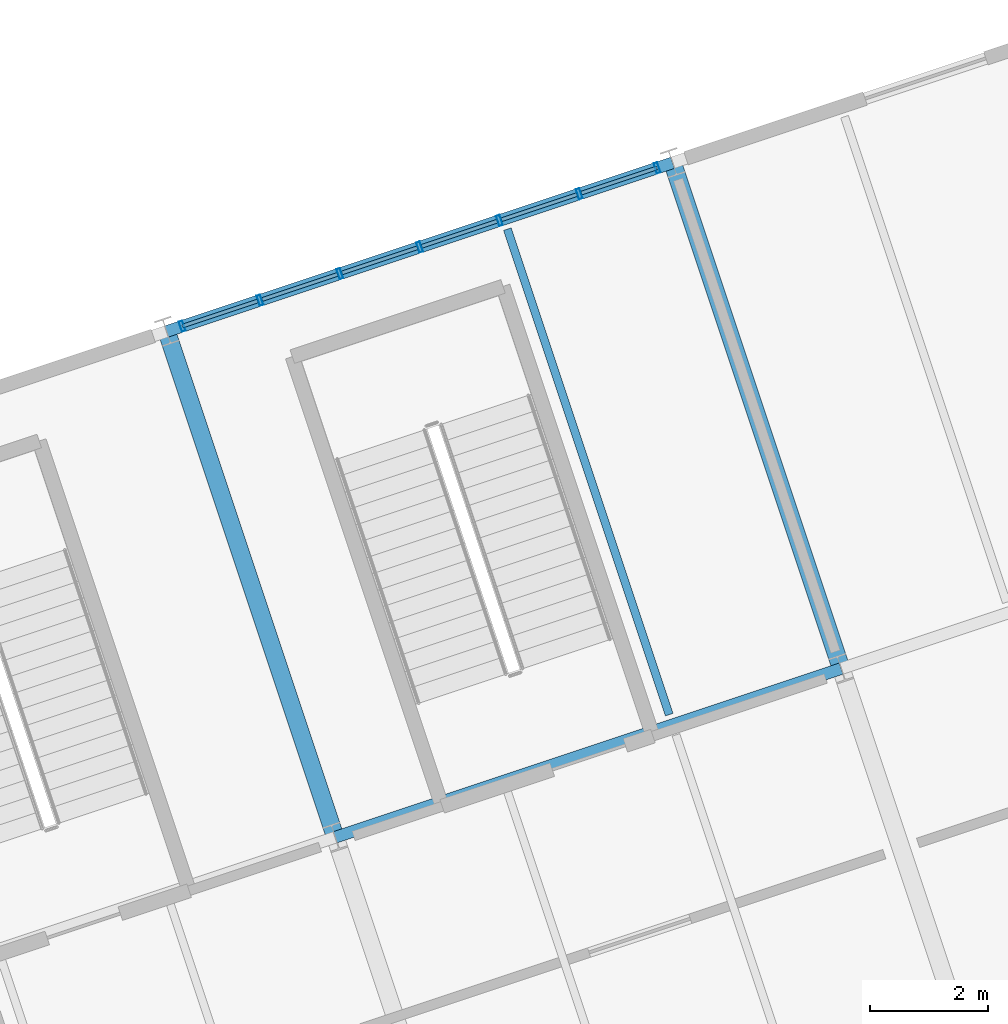
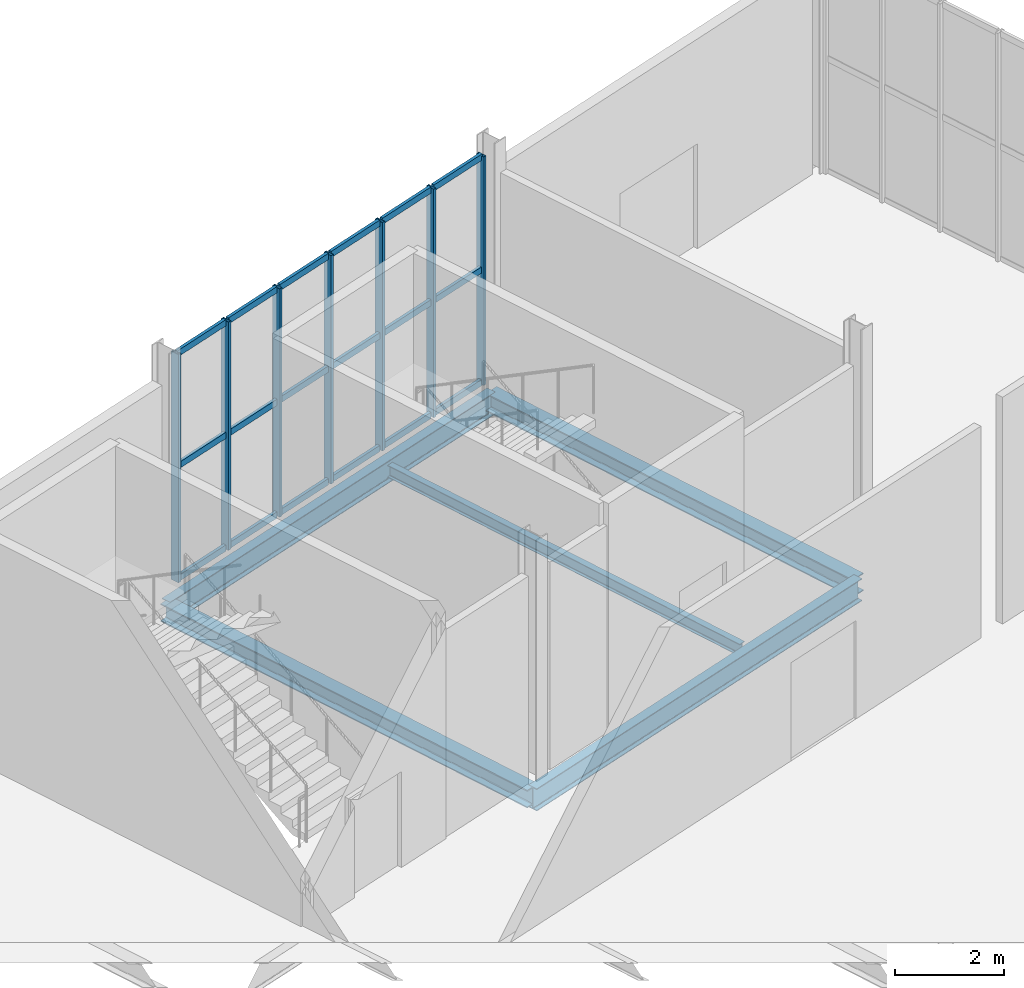
# One storey, part 81 of 158: 25 members, 5 beams, 1 element without a shape of its own.
"""IFC4 building model written with IfcOpenShell, lengths in metres."""

from ifc_helpers import new_model, si_unit, derived_unit, direction, frame, origin, origin_2d, place, context, subcontext, project, spatial, hollow_rectangle, i_section, extrude, material, material_profile, profile_set, type_object, element, aggregate, save


model = new_model("IFC4")

# Units and contexts
model_context = context("Model", 3, precision=1e-05, world=origin(), true_north=direction((0.0, 1.0)))
body_context = subcontext(model_context, "Body", "Model", "MODEL_VIEW")
ifc_project = project(units=[si_unit("LENGTHUNIT", "METRE"), si_unit("AREAUNIT", "SQUARE_METRE"), si_unit("VOLUMEUNIT", "CUBIC_METRE"), si_unit("PLANEANGLEUNIT", "RADIAN"), si_unit("MASSUNIT", "GRAM", prefix="KILO"), si_unit("THERMODYNAMICTEMPERATUREUNIT", "KELVIN"), si_unit("TIMEUNIT", "SECOND"), derived_unit("THERMALTRANSMITTANCEUNIT", [(si_unit("MASSUNIT", "GRAM", prefix="KILO"), 1), (si_unit("THERMODYNAMICTEMPERATUREUNIT", "KELVIN"), -1), (si_unit("TIMEUNIT", "SECOND"), -3)])], contexts=[model_context])

# Site, building, storey
site_placement = place(None, origin())
site = spatial("IfcSite", under=ifc_project, at=site_placement, CompositionType="ELEMENT")
building_placement = place(site_placement, origin())
building = spatial("IfcBuilding", under=site, at=building_placement, Name="Cambertide Market Hall", CompositionType="ELEMENT")
storey_placement = place(building_placement, origin())
storey = spatial("IfcBuildingStorey", under=building, at=storey_placement, Name="L01", CompositionType="ELEMENT", Elevation=0.0)

# Curtain wall, members
ifc_material_1 = material(Name="Marine Anodized Aluminium 6063-T6 AA25", Category="aluminium")
curtain_wall_type = type_object("IfcCurtainWallType", Name="Food Court Ground Glazed Facade", PredefinedType="USERDEFINED", material=ifc_material_1)
curtain_wall_placement = place(storey_placement, origin())
curtain_wall = element("IfcCurtainWall", 1, at=curtain_wall_placement, inside=storey, type_object=curtain_wall_type, Name="Level 1 Curtain Wall CW-V3N-L01-6", ObjectType="UNITIZED CURTAIN WALL", PredefinedType="USERDEFINED")
ifc_material_2 = material(Name="Champagne Marine Anodized Aluminium 6063-T6 AA25", Category="aluminium")
ifc_material_profile_1 = material_profile(ifc_material_2, hollow_rectangle(XDim=0.06494140625, YDim=0.179931640625, WallThickness=0.00390625, at=origin_2d()), Name="ALU MULLION 65x180")
ifc_profile_set_1 = profile_set([ifc_material_profile_1], Name="Champagne Marine Anodized Aluminium 6063-T6 AA25")
member_type_1 = type_object("IfcMemberType", Name="Curtain Wall Mullion ALU MULLION 65x180", PredefinedType="MULLION", material=ifc_profile_set_1)
member_1_placement = place(storey_placement, frame((140.41357421875, 51.931640625, 0.0), z_axis=(0.0, 0.0, 1.0), x_axis=(0.948683274577, 0.316227836438, 0.0)))
member_1 = element("IfcMember", 2, at=member_1_placement, type_object=member_type_1, Name="CW-V3N-L01-6 Mullion 1", PredefinedType="MULLION", context=body_context, shape_type="SweptSolid", body=[
    extrude(hollow_rectangle(XDim=0.06494140625, YDim=0.179931640625, WallThickness=0.00390625, at=origin_2d()), origin(), (0.0, 0.0, 1.0), 5.1201171875),
])
member_2_placement = place(storey_placement, frame((141.727294921875, 52.36962890625, 0.0), z_axis=(0.0, 0.0, 1.0), x_axis=(0.948683274577, 0.316227836438, 0.0)))
member_2 = element("IfcMember", 3, at=member_2_placement, type_object=member_type_1, Name="CW-V3N-L01-6 Mullion 2", PredefinedType="MULLION", context=body_context, shape_type="SweptSolid", body=[
    extrude(hollow_rectangle(XDim=0.06494140625, YDim=0.179931640625, WallThickness=0.00390625, at=origin_2d()), origin(), (0.0, 0.0, 1.0), 5.1201171875),
])
member_3_placement = place(storey_placement, frame((143.074462890625, 52.818603515625, 0.0), z_axis=(0.0, 0.0, 1.0), x_axis=(0.948683274577, 0.316227836438, 0.0)))
member_3 = element("IfcMember", 4, at=member_3_placement, type_object=member_type_1, Name="CW-V3N-L01-6 Mullion 3", PredefinedType="MULLION", context=body_context, shape_type="SweptSolid", body=[
    extrude(hollow_rectangle(XDim=0.06494140625, YDim=0.179931640625, WallThickness=0.00390625, at=origin_2d()), origin(), (0.0, 0.0, 1.0), 5.1201171875),
])
member_4_placement = place(storey_placement, frame((144.421630859375, 53.267822265625, 0.0), z_axis=(0.0, 0.0, 1.0), x_axis=(0.948683274577, 0.316227836438, 0.0)))
member_4 = element("IfcMember", 5, at=member_4_placement, type_object=member_type_1, Name="CW-V3N-L01-6 Mullion 4", PredefinedType="MULLION", context=body_context, shape_type="SweptSolid", body=[
    extrude(hollow_rectangle(XDim=0.06494140625, YDim=0.179931640625, WallThickness=0.00390625, at=origin_2d()), origin(), (0.0, 0.0, 1.0), 5.1201171875),
])
member_5_placement = place(storey_placement, frame((145.768798828125, 53.716796875, 0.0), z_axis=(0.0, 0.0, 1.0), x_axis=(0.948683274577, 0.316227836438, 0.0)))
member_5 = element("IfcMember", 6, at=member_5_placement, type_object=member_type_1, Name="CW-V3N-L01-6 Mullion 5", PredefinedType="MULLION", context=body_context, shape_type="SweptSolid", body=[
    extrude(hollow_rectangle(XDim=0.06494140625, YDim=0.179931640625, WallThickness=0.00390625, at=origin_2d()), origin(), (0.0, 0.0, 1.0), 5.1201171875),
])
member_6_placement = place(storey_placement, frame((147.115966796875, 54.165771484375, 0.0), z_axis=(0.0, 0.0, 1.0), x_axis=(0.948683274577, 0.316227836438, 0.0)))
member_6 = element("IfcMember", 7, at=member_6_placement, type_object=member_type_1, Name="CW-V3N-L01-6 Mullion 6", PredefinedType="MULLION", context=body_context, shape_type="SweptSolid", body=[
    extrude(hollow_rectangle(XDim=0.06494140625, YDim=0.179931640625, WallThickness=0.00390625, at=origin_2d()), origin(), (0.0, 0.0, 1.0), 5.1201171875),
])
member_7_placement = place(storey_placement, frame((148.429931640625, 54.603759765625, 0.0), z_axis=(0.0, 0.0, 1.0), x_axis=(0.948683274577, 0.316227836438, 0.0)))
member_7 = element("IfcMember", 8, at=member_7_placement, type_object=member_type_1, Name="CW-V3N-L01-6 Mullion 7", PredefinedType="MULLION", context=body_context, shape_type="SweptSolid", body=[
    extrude(hollow_rectangle(XDim=0.06494140625, YDim=0.179931640625, WallThickness=0.00390625, at=origin_2d()), origin(), (0.0, 0.0, 1.0), 5.1201171875),
])
ifc_material_3 = material(Name="Champagne Marine Anodized Aluminium 6063-T6 AA25", Category="aluminium")
ifc_material_profile_2 = material_profile(ifc_material_3, hollow_rectangle(XDim=0.06494140625, YDim=0.139892578125, WallThickness=0.00341796875, at=origin_2d()), Name="ALU TRANSOM 65x140")
ifc_profile_set_2 = profile_set([ifc_material_profile_2], Name="Champagne Marine Anodized Aluminium 6063-T6 AA25")
member_type_2 = type_object("IfcMemberType", Name="Curtain Wall Transom ALU TRANSOM 65x140", PredefinedType="USERDEFINED", material=ifc_profile_set_2)
member_8_placement = place(storey_placement, frame((140.418212890625, 51.933349609375, 0.034912109375), z_axis=(0.948719731918, 0.316118443418, 0.0), x_axis=(-0.316118443418, 0.948719731918, 0.0)))
member_8 = element("IfcMember", 9, at=member_8_placement, type_object=member_type_2, Name="CW-V3N-L01-6 Transom 1-1", ObjectType="TRANSOM", PredefinedType="USERDEFINED", context=body_context, shape_type="SweptSolid", body=[
    extrude(hollow_rectangle(XDim=0.06494140625, YDim=0.139892578125, WallThickness=0.00341796875, at=origin_2d()), origin(), (0.0, 0.0, 1.0), 1.33984375),
])
member_9_placement = place(storey_placement, frame((141.765380859375, 52.38232421875, 0.034912109375), z_axis=(0.948665077442, 0.316282422593, 0.0), x_axis=(-0.316282422593, 0.948665077442, 0.0)))
member_9 = element("IfcMember", 10, at=member_9_placement, type_object=member_type_2, Name="CW-V3N-L01-6 Transom 1-2", ObjectType="TRANSOM", PredefinedType="USERDEFINED", context=body_context, shape_type="SweptSolid", body=[
    extrude(hollow_rectangle(XDim=0.06494140625, YDim=0.139892578125, WallThickness=0.00341796875, at=origin_2d()), origin(), (0.0, 0.0, 1.0), 1.340087890625),
])
member_10_placement = place(storey_placement, frame((143.112548828125, 52.831298828125, 0.034912109375), z_axis=(0.948665077442, 0.316282422593, 0.0), x_axis=(-0.316282422593, 0.948665077442, 0.0)))
member_10 = element("IfcMember", 11, at=member_10_placement, type_object=member_type_2, Name="CW-V3N-L01-6 Transom 1-3", ObjectType="TRANSOM", PredefinedType="USERDEFINED", context=body_context, shape_type="SweptSolid", body=[
    extrude(hollow_rectangle(XDim=0.06494140625, YDim=0.139892578125, WallThickness=0.00341796875, at=origin_2d()), origin(), (0.0, 0.0, 1.0), 1.340087890625),
])
member_11_placement = place(storey_placement, frame((144.459716796875, 53.2802734375, 0.034912109375), z_axis=(0.948665077442, 0.316282422593, 0.0), x_axis=(-0.316282422593, 0.948665077442, 0.0)))
member_11 = element("IfcMember", 12, at=member_11_placement, type_object=member_type_2, Name="CW-V3N-L01-6 Transom 1-4", ObjectType="TRANSOM", PredefinedType="USERDEFINED", context=body_context, shape_type="SweptSolid", body=[
    extrude(hollow_rectangle(XDim=0.06494140625, YDim=0.139892578125, WallThickness=0.00341796875, at=origin_2d()), origin(), (0.0, 0.0, 1.0), 1.340087890625),
])
member_12_placement = place(storey_placement, frame((145.806640625, 53.7294921875, 0.034912109375), z_axis=(0.948719731918, 0.316118443418, 0.0), x_axis=(-0.316118443418, 0.948719731918, 0.0)))
member_12 = element("IfcMember", 13, at=member_12_placement, type_object=member_type_2, Name="CW-V3N-L01-6 Transom 1-5", ObjectType="TRANSOM", PredefinedType="USERDEFINED", context=body_context, shape_type="SweptSolid", body=[
    extrude(hollow_rectangle(XDim=0.06494140625, YDim=0.139892578125, WallThickness=0.00341796875, at=origin_2d()), origin(), (0.0, 0.0, 1.0), 1.33984375),
])
member_13_placement = place(storey_placement, frame((147.15380859375, 54.178466796875, 0.034912109375), z_axis=(0.948665077442, 0.316282422593, 0.0), x_axis=(-0.316282422593, 0.948665077442, 0.0)))
member_13 = element("IfcMember", 14, at=member_13_placement, type_object=member_type_2, Name="CW-V3N-L01-6 Transom 1-6", ObjectType="TRANSOM", PredefinedType="USERDEFINED", context=body_context, shape_type="SweptSolid", body=[
    extrude(hollow_rectangle(XDim=0.06494140625, YDim=0.139892578125, WallThickness=0.00341796875, at=origin_2d()), origin(), (0.0, 0.0, 1.0), 1.340087890625),
])
member_14_placement = place(storey_placement, frame((140.418212890625, 51.933349609375, 2.56005859375), z_axis=(0.948719731918, 0.316118443418, 0.0), x_axis=(-0.316118443418, 0.948719731918, 0.0)))
member_14 = element("IfcMember", 15, at=member_14_placement, type_object=member_type_2, Name="CW-V3N-L01-6 Transom 2-1", ObjectType="TRANSOM", PredefinedType="USERDEFINED", context=body_context, shape_type="SweptSolid", body=[
    extrude(hollow_rectangle(XDim=0.06494140625, YDim=0.139892578125, WallThickness=0.00341796875, at=origin_2d()), origin(), (0.0, 0.0, 1.0), 1.33984375),
])
member_15_placement = place(storey_placement, frame((141.765380859375, 52.38232421875, 2.56005859375), z_axis=(0.948665077442, 0.316282422593, 0.0), x_axis=(-0.316282422593, 0.948665077442, 0.0)))
member_15 = element("IfcMember", 16, at=member_15_placement, type_object=member_type_2, Name="CW-V3N-L01-6 Transom 2-2", ObjectType="TRANSOM", PredefinedType="USERDEFINED", context=body_context, shape_type="SweptSolid", body=[
    extrude(hollow_rectangle(XDim=0.06494140625, YDim=0.139892578125, WallThickness=0.00341796875, at=origin_2d()), origin(), (0.0, 0.0, 1.0), 1.340087890625),
])
member_16_placement = place(storey_placement, frame((143.112548828125, 52.831298828125, 2.56005859375), z_axis=(0.948665077442, 0.316282422593, 0.0), x_axis=(-0.316282422593, 0.948665077442, 0.0)))
member_16 = element("IfcMember", 17, at=member_16_placement, type_object=member_type_2, Name="CW-V3N-L01-6 Transom 2-3", ObjectType="TRANSOM", PredefinedType="USERDEFINED", context=body_context, shape_type="SweptSolid", body=[
    extrude(hollow_rectangle(XDim=0.06494140625, YDim=0.139892578125, WallThickness=0.00341796875, at=origin_2d()), origin(), (0.0, 0.0, 1.0), 1.340087890625),
])
member_17_placement = place(storey_placement, frame((144.459716796875, 53.2802734375, 2.56005859375), z_axis=(0.948665077442, 0.316282422593, 0.0), x_axis=(-0.316282422593, 0.948665077442, 0.0)))
member_17 = element("IfcMember", 18, at=member_17_placement, type_object=member_type_2, Name="CW-V3N-L01-6 Transom 2-4", ObjectType="TRANSOM", PredefinedType="USERDEFINED", context=body_context, shape_type="SweptSolid", body=[
    extrude(hollow_rectangle(XDim=0.06494140625, YDim=0.139892578125, WallThickness=0.00341796875, at=origin_2d()), origin(), (0.0, 0.0, 1.0), 1.340087890625),
])
member_18_placement = place(storey_placement, frame((145.806640625, 53.7294921875, 2.56005859375), z_axis=(0.948719731918, 0.316118443418, 0.0), x_axis=(-0.316118443418, 0.948719731918, 0.0)))
member_18 = element("IfcMember", 19, at=member_18_placement, type_object=member_type_2, Name="CW-V3N-L01-6 Transom 2-5", ObjectType="TRANSOM", PredefinedType="USERDEFINED", context=body_context, shape_type="SweptSolid", body=[
    extrude(hollow_rectangle(XDim=0.06494140625, YDim=0.139892578125, WallThickness=0.00341796875, at=origin_2d()), origin(), (0.0, 0.0, 1.0), 1.33984375),
])
member_19_placement = place(storey_placement, frame((147.15380859375, 54.178466796875, 2.56005859375), z_axis=(0.948665077442, 0.316282422593, 0.0), x_axis=(-0.316282422593, 0.948665077442, 0.0)))
member_19 = element("IfcMember", 20, at=member_19_placement, type_object=member_type_2, Name="CW-V3N-L01-6 Transom 2-6", ObjectType="TRANSOM", PredefinedType="USERDEFINED", context=body_context, shape_type="SweptSolid", body=[
    extrude(hollow_rectangle(XDim=0.06494140625, YDim=0.139892578125, WallThickness=0.00341796875, at=origin_2d()), origin(), (0.0, 0.0, 1.0), 1.340087890625),
])
member_20_placement = place(storey_placement, frame((140.418212890625, 51.933349609375, 5.0849609375), z_axis=(0.948719731918, 0.316118443418, 0.0), x_axis=(-0.316118443418, 0.948719731918, 0.0)))
member_20 = element("IfcMember", 21, at=member_20_placement, type_object=member_type_2, Name="CW-V3N-L01-6 Transom 3-1", ObjectType="TRANSOM", PredefinedType="USERDEFINED", context=body_context, shape_type="SweptSolid", body=[
    extrude(hollow_rectangle(XDim=0.06494140625, YDim=0.139892578125, WallThickness=0.00341796875, at=origin_2d()), origin(), (0.0, 0.0, 1.0), 1.33984375),
])
member_21_placement = place(storey_placement, frame((141.765380859375, 52.38232421875, 5.0849609375), z_axis=(0.948665077442, 0.316282422593, 0.0), x_axis=(-0.316282422593, 0.948665077442, 0.0)))
member_21 = element("IfcMember", 22, at=member_21_placement, type_object=member_type_2, Name="CW-V3N-L01-6 Transom 3-2", ObjectType="TRANSOM", PredefinedType="USERDEFINED", context=body_context, shape_type="SweptSolid", body=[
    extrude(hollow_rectangle(XDim=0.06494140625, YDim=0.139892578125, WallThickness=0.00341796875, at=origin_2d()), origin(), (0.0, 0.0, 1.0), 1.340087890625),
])
member_22_placement = place(storey_placement, frame((143.112548828125, 52.831298828125, 5.0849609375), z_axis=(0.948665077442, 0.316282422593, 0.0), x_axis=(-0.316282422593, 0.948665077442, 0.0)))
member_22 = element("IfcMember", 23, at=member_22_placement, type_object=member_type_2, Name="CW-V3N-L01-6 Transom 3-3", ObjectType="TRANSOM", PredefinedType="USERDEFINED", context=body_context, shape_type="SweptSolid", body=[
    extrude(hollow_rectangle(XDim=0.06494140625, YDim=0.139892578125, WallThickness=0.00341796875, at=origin_2d()), origin(), (0.0, 0.0, 1.0), 1.340087890625),
])
member_23_placement = place(storey_placement, frame((144.459716796875, 53.2802734375, 5.0849609375), z_axis=(0.948665077442, 0.316282422593, 0.0), x_axis=(-0.316282422593, 0.948665077442, 0.0)))
member_23 = element("IfcMember", 24, at=member_23_placement, type_object=member_type_2, Name="CW-V3N-L01-6 Transom 3-4", ObjectType="TRANSOM", PredefinedType="USERDEFINED", context=body_context, shape_type="SweptSolid", body=[
    extrude(hollow_rectangle(XDim=0.06494140625, YDim=0.139892578125, WallThickness=0.00341796875, at=origin_2d()), origin(), (0.0, 0.0, 1.0), 1.340087890625),
])
member_24_placement = place(storey_placement, frame((145.806640625, 53.7294921875, 5.0849609375), z_axis=(0.948719731918, 0.316118443418, 0.0), x_axis=(-0.316118443418, 0.948719731918, 0.0)))
member_24 = element("IfcMember", 25, at=member_24_placement, type_object=member_type_2, Name="CW-V3N-L01-6 Transom 3-5", ObjectType="TRANSOM", PredefinedType="USERDEFINED", context=body_context, shape_type="SweptSolid", body=[
    extrude(hollow_rectangle(XDim=0.06494140625, YDim=0.139892578125, WallThickness=0.00341796875, at=origin_2d()), origin(), (0.0, 0.0, 1.0), 1.33984375),
])
member_25_placement = place(storey_placement, frame((147.15380859375, 54.178466796875, 5.0849609375), z_axis=(0.948665077442, 0.316282422593, 0.0), x_axis=(-0.316282422593, 0.948665077442, 0.0)))
member_25 = element("IfcMember", 26, at=member_25_placement, type_object=member_type_2, Name="CW-V3N-L01-6 Transom 3-6", ObjectType="TRANSOM", PredefinedType="USERDEFINED", context=body_context, shape_type="SweptSolid", body=[
    extrude(hollow_rectangle(XDim=0.06494140625, YDim=0.139892578125, WallThickness=0.00341796875, at=origin_2d()), origin(), (0.0, 0.0, 1.0), 1.340087890625),
])
aggregate(curtain_wall, [member_1, member_2, member_3, member_4, member_5, member_6, member_7, member_8, member_9, member_10, member_11, member_12, member_13, member_14, member_15, member_16, member_17, member_18, member_19, member_20, member_21, member_22, member_23, member_24, member_25])

# Beams
ifc_material_4 = material(Name="Steel S355", Category="steel")
ifc_material_profile_3 = material_profile(ifc_material_4, i_section(OverallWidth=0.300048828125, OverallDepth=0.39990234375, WebThickness=0.013427734375, FlangeThickness=0.02392578125, FilletRadius=0.027099609375, at=origin_2d()), Name="HEB 400")
ifc_profile_set_3 = profile_set([ifc_material_profile_3], Name="Steel S355")
beam_type_1 = type_object("IfcBeamType", Name="Steel Girder HEB 400", PredefinedType="BEAM", material=ifc_profile_set_3)
for number, where, z_axis, x_axis, name in (
    (27, (142.99853515625, 43.306640625, -0.5), (-0.3162196279, 0.948686010717, 0.0), (-0.948686010717, -0.3162196279, 0.0), "Level 1 Beam BM-V3V-L01-6-3"),
    (28, (151.536865234375, 46.152587890625, -0.5), (-0.31624404204, 0.948677872554, 0.0), (-0.948677872554, -0.31624404204, 0.0), "Level 1 Beam BM-V3V-L01-7-3"),
):
    element("IfcBeam", number, at=place(storey_placement, frame(where, z_axis=z_axis, x_axis=x_axis)), inside=storey, type_object=beam_type_1, Name=name, PredefinedType="BEAM", context=body_context, shape_type="SweptSolid", body=[
        extrude(i_section(OverallWidth=0.300048828125, OverallDepth=0.39990234375, WebThickness=0.013427734375, FlangeThickness=0.02392578125, FilletRadius=0.027099609375, at=origin_2d()), origin(), (0.0, 0.0, 1.0), 9.0),
    ])
ifc_material_5 = material(Name="Steel S355", Category="steel")
ifc_material_profile_4 = material_profile(ifc_material_5, i_section(OverallWidth=0.199951171875, OverallDepth=0.5, WebThickness=0.01025390625, FlangeThickness=0.01611328125, FilletRadius=0.02099609375, at=origin_2d()), Name="IPE 500")
ifc_profile_set_4 = profile_set([ifc_material_profile_4], Name="Steel S355")
beam_type_2 = type_object("IfcBeamType", Name="Steel Girder IPE 500", PredefinedType="BEAM", material=ifc_profile_set_4)
beam_1_placement = place(storey_placement, frame((142.99853515625, 43.306640625, -0.550048828125), z_axis=(0.948688723175, 0.316211490179, 0.0), x_axis=(-0.316211490179, 0.948688723175, 0.0)))
element("IfcBeam", 29, at=beam_1_placement, inside=storey, type_object=beam_type_2, Name="Level 1 Beam BM-V3U-L01-6-3", PredefinedType="BEAM", context=body_context, shape_type="SweptSolid", body=[
    extrude(i_section(OverallWidth=0.199951171875, OverallDepth=0.5, WebThickness=0.01025390625, FlangeThickness=0.01611328125, FilletRadius=0.02099609375, at=origin_2d()), origin(), (0.0, 0.0, 1.0), 9.000244140625),
])
beam_2_placement = place(storey_placement, frame((140.152587890625, 51.8447265625, -0.550048828125), z_axis=(0.948686010717, 0.3162196279, 0.0), x_axis=(-0.3162196279, 0.948686010717, 0.0)))
element("IfcBeam", 30, at=beam_2_placement, inside=storey, type_object=beam_type_2, Name="Level 1 Beam BM-V3U-L01-6-4", PredefinedType="BEAM", context=body_context, shape_type="SweptSolid", body=[
    extrude(i_section(OverallWidth=0.199951171875, OverallDepth=0.5, WebThickness=0.01025390625, FlangeThickness=0.01611328125, FilletRadius=0.02099609375, at=origin_2d()), origin(), (0.0, 0.0, 1.0), 9.0),
])
ifc_material_6 = material(Name="Steel S275", Category="steel")
ifc_material_profile_5 = material_profile(ifc_material_6, i_section(OverallWidth=0.135009765625, OverallDepth=0.27001953125, WebThickness=0.006591796875, FlangeThickness=0.01025390625, FilletRadius=0.014892578125, at=origin_2d()), Name="IPE 270")
ifc_profile_set_5 = profile_set([ifc_material_profile_5], Name="Steel S275")
beam_type_3 = type_object("IfcBeamType", Name="Steel Secondary Joist IPE 270", PredefinedType="JOIST", material=ifc_profile_set_5)
beam_3_placement = place(storey_placement, frame((148.6337890625, 45.374755859375, -0.43505859375), z_axis=(-0.316227766017, 0.948683298051, 0.0), x_axis=(-0.948683298051, -0.316227766017, 0.0)))
element("IfcBeam", 31, at=beam_3_placement, inside=storey, type_object=beam_type_3, Name="Level 1 Joist JS-V3-L01-6-3-2", PredefinedType="JOIST", context=body_context, shape_type="SweptSolid", body=[
    extrude(i_section(OverallWidth=0.135009765625, OverallDepth=0.27001953125, WebThickness=0.006591796875, FlangeThickness=0.01025390625, FilletRadius=0.014892578125, at=origin_2d()), origin(), (0.0, 0.0, 1.0), 8.639892578125),
])

save(model, "model.ifc")
